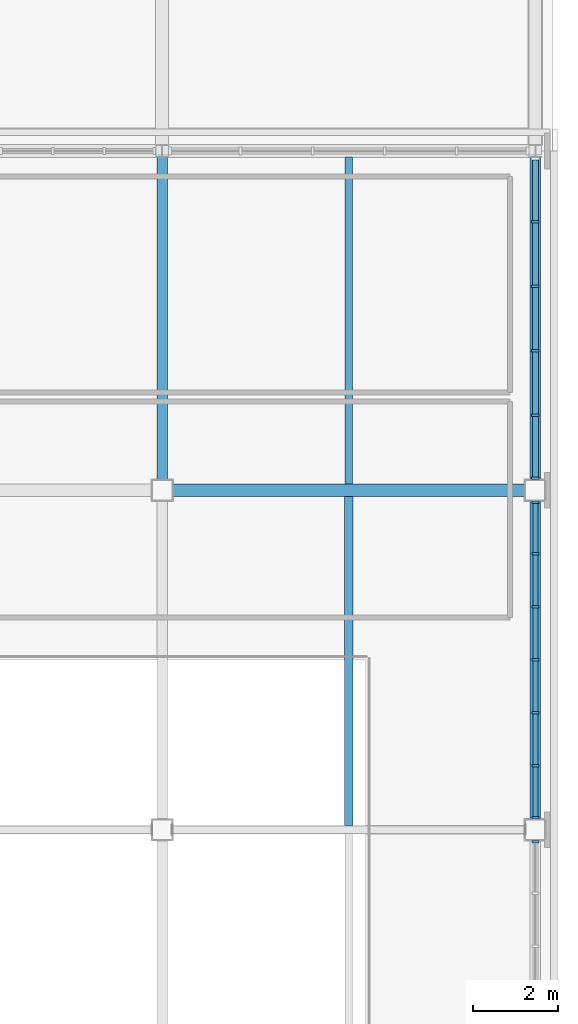
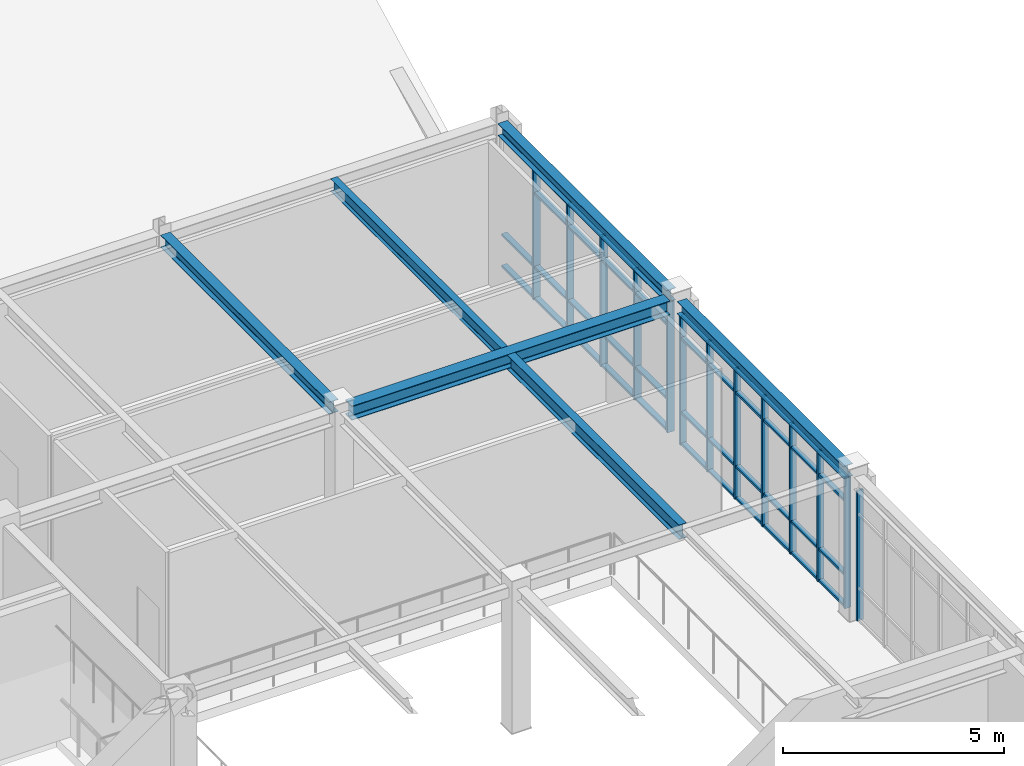
# One storey, part 19 of 45: 55 members, 6 beams, 3 elements without a shape of their own.
"""IFC4 building model written with IfcOpenShell, lengths in metres."""

from ifc_helpers import new_model, si_unit, direction, frame, origin, origin_2d, place, context, subcontext, project, spatial, rectangle, i_section, extrude, material, material_profile, profile_set, type_object, element, aggregate, save


model = new_model("IFC4")

# Units and contexts
model_context = context("Model", 3, precision=1e-05, world=origin(), true_north=direction((0.0, 1.0)))
body_context = subcontext(model_context, "Body", "Model", "MODEL_VIEW")
ifc_project = project(units=[si_unit("LENGTHUNIT", "METRE"), si_unit("AREAUNIT", "SQUARE_METRE"), si_unit("VOLUMEUNIT", "CUBIC_METRE"), si_unit("PLANEANGLEUNIT", "RADIAN"), si_unit("MASSUNIT", "GRAM", prefix="KILO")], contexts=[model_context])

# Site, building, storey
site_placement = place(None, origin())
site = spatial("IfcSite", under=ifc_project, at=site_placement, CompositionType="ELEMENT")
building_placement = place(site_placement, origin())
building = spatial("IfcBuilding", under=site, at=building_placement, Name="Zhaolan Boulevard Law Courts", CompositionType="ELEMENT")
storey_placement = place(building_placement, frame((0.0, 0.0, 24.60009765625)))
storey = spatial("IfcBuildingStorey", under=building, at=storey_placement, Name="L05", CompositionType="ELEMENT", Elevation=24.60009765625)

# Curtain wall, member
ifc_material_1 = material(Name="Thermally broken aluminium and low-E glazing", Category="aluminium")
curtain_wall_type_1 = type_object("IfcCurtainWallType", Name="CURTAIN WALL M5", PredefinedType="USERDEFINED", material=ifc_material_1)
curtain_wall_1_placement = place(storey_placement, origin())
curtain_wall_1 = element("IfcCurtainWall", 1, at=curtain_wall_1_placement, inside=storey, type_object=curtain_wall_type_1, Name="Curtain Wall CW-L05-221", ObjectType="CURTAIN WALL", PredefinedType="USERDEFINED")
ifc_material_2 = material(Name="Fluorocarbon-coated aluminium 6063-T6", Category="aluminium")
ifc_material_profile_1 = material_profile(ifc_material_2, rectangle(XDim=0.159912109375, YDim=0.06005859375, at=origin_2d()), Name="AL60x160")
ifc_profile_set_1 = profile_set([ifc_material_profile_1], Name="Fluorocarbon-coated aluminium 6063-T6")
member_type_1 = type_object("IfcMemberType", Name="CWMULLION 60X160", PredefinedType="MULLION", material=ifc_profile_set_1)
member_1_placement = place(storey_placement, frame((44.0, 61.718017578125, 0.0), z_axis=(0.0, 0.0, 1.0), x_axis=(-1.0, 0.0, 0.0)))
member_1 = element("IfcMember", 2, at=member_1_placement, type_object=member_type_1, Name="CW-L05-221 mullion 7", PredefinedType="MULLION", context=body_context, shape_type="SweptSolid", body=[
    extrude(rectangle(XDim=0.159912109375, YDim=0.06005859375, at=origin_2d()), origin(), (0.0, 0.0, 1.0), 3.593017578125),
])
aggregate(curtain_wall_1, [member_1])

# Curtain wall, members
ifc_material_3 = material(Name="Thermally broken aluminium and low-E glazing", Category="aluminium")
curtain_wall_type_2 = type_object("IfcCurtainWallType", Name="CURTAIN WALL M6", PredefinedType="USERDEFINED", material=ifc_material_3)
curtain_wall_2_placement = place(storey_placement, origin())
curtain_wall_2 = element("IfcCurtainWall", 3, at=curtain_wall_2_placement, inside=storey, type_object=curtain_wall_type_2, Name="Curtain Wall CW-L05-222", ObjectType="CURTAIN WALL", PredefinedType="USERDEFINED")
member_2_placement = place(storey_placement, frame((44.0, 62.281982421875, 0.0), z_axis=(0.0, 0.0, 1.0), x_axis=(-1.0, 0.0, 0.0)))
member_2 = element("IfcMember", 4, at=member_2_placement, type_object=member_type_1, Name="CW-L05-222 mullion 1", PredefinedType="MULLION", context=body_context, shape_type="SweptSolid", body=[
    extrude(rectangle(XDim=0.159912109375, YDim=0.06005859375, at=origin_2d()), origin(), (0.0, 0.0, 1.0), 3.593017578125),
])
member_3_placement = place(storey_placement, frame((44.0, 63.501220703125, 0.0), z_axis=(0.0, 0.0, 1.0), x_axis=(-1.0, 0.0, 0.0)))
member_3 = element("IfcMember", 5, at=member_3_placement, type_object=member_type_1, Name="CW-L05-222 mullion 2", PredefinedType="MULLION", context=body_context, shape_type="SweptSolid", body=[
    extrude(rectangle(XDim=0.159912109375, YDim=0.06005859375, at=origin_2d()), origin(), (0.0, 0.0, 1.0), 3.593017578125),
])
member_4_placement = place(storey_placement, frame((44.0, 64.750732421875, 0.0), z_axis=(0.0, 0.0, 1.0), x_axis=(-1.0, 0.0, 0.0)))
member_4 = element("IfcMember", 6, at=member_4_placement, type_object=member_type_1, Name="CW-L05-222 mullion 3", PredefinedType="MULLION", context=body_context, shape_type="SweptSolid", body=[
    extrude(rectangle(XDim=0.159912109375, YDim=0.06005859375, at=origin_2d()), origin(), (0.0, 0.0, 1.0), 3.593017578125),
])
member_5_placement = place(storey_placement, frame((44.0, 66.0, 0.0), z_axis=(0.0, 0.0, 1.0), x_axis=(-1.0, 0.0, 0.0)))
member_5 = element("IfcMember", 7, at=member_5_placement, type_object=member_type_1, Name="CW-L05-222 mullion 4", PredefinedType="MULLION", context=body_context, shape_type="SweptSolid", body=[
    extrude(rectangle(XDim=0.159912109375, YDim=0.06005859375, at=origin_2d()), origin(), (0.0, 0.0, 1.0), 3.593017578125),
])
member_6_placement = place(storey_placement, frame((44.0, 67.249267578125, 0.0), z_axis=(0.0, 0.0, 1.0), x_axis=(-1.0, 0.0, 0.0)))
member_6 = element("IfcMember", 8, at=member_6_placement, type_object=member_type_1, Name="CW-L05-222 mullion 5", PredefinedType="MULLION", context=body_context, shape_type="SweptSolid", body=[
    extrude(rectangle(XDim=0.159912109375, YDim=0.06005859375, at=origin_2d()), origin(), (0.0, 0.0, 1.0), 3.593017578125),
])
member_7_placement = place(storey_placement, frame((44.0, 68.498779296875, 0.0), z_axis=(0.0, 0.0, 1.0), x_axis=(-1.0, 0.0, 0.0)))
member_7 = element("IfcMember", 9, at=member_7_placement, type_object=member_type_1, Name="CW-L05-222 mullion 6", PredefinedType="MULLION", context=body_context, shape_type="SweptSolid", body=[
    extrude(rectangle(XDim=0.159912109375, YDim=0.06005859375, at=origin_2d()), origin(), (0.0, 0.0, 1.0), 3.593017578125),
])
member_8_placement = place(storey_placement, frame((44.0, 69.718017578125, 0.0), z_axis=(0.0, 0.0, 1.0), x_axis=(-1.0, 0.0, 0.0)))
member_8 = element("IfcMember", 10, at=member_8_placement, type_object=member_type_1, Name="CW-L05-222 mullion 7", PredefinedType="MULLION", context=body_context, shape_type="SweptSolid", body=[
    extrude(rectangle(XDim=0.159912109375, YDim=0.06005859375, at=origin_2d()), origin(), (0.0, 0.0, 1.0), 3.593017578125),
])

ifc_material_4 = material(Name="Thermally broken aluminium and low-E glazing", Category="aluminium")
curtain_wall_type_3 = type_object("IfcCurtainWallType", Name="CURTAIN WALL M7", PredefinedType="USERDEFINED", material=ifc_material_4)
curtain_wall_3_placement = place(storey_placement, origin())
curtain_wall_3 = element("IfcCurtainWall", 11, at=curtain_wall_3_placement, inside=storey, type_object=curtain_wall_type_3, Name="Curtain Wall CW-L05-223", ObjectType="CURTAIN WALL", PredefinedType="USERDEFINED")
ifc_material_5 = material(Name="Fluorocarbon-coated aluminium 6063-T6", Category="aluminium")
ifc_material_profile_2 = material_profile(ifc_material_5, rectangle(XDim=0.179931640625, YDim=0.06494140625, at=origin_2d()), Name="AL65x180")
ifc_profile_set_2 = profile_set([ifc_material_profile_2], Name="Fluorocarbon-coated aluminium 6063-T6")
member_type_2 = type_object("IfcMemberType", Name="CWMULLION 65X180", PredefinedType="MULLION", material=ifc_profile_set_2)
member_9_placement = place(storey_placement, frame((44.0, 70.284423828125, 0.0), z_axis=(0.0, 0.0, 1.0), x_axis=(-1.0, 0.0, 0.0)))
member_9 = element("IfcMember", 12, at=member_9_placement, type_object=member_type_2, Name="CW-L05-223 mullion 1", PredefinedType="MULLION", context=body_context, shape_type="SweptSolid", body=[
    extrude(rectangle(XDim=0.179931640625, YDim=0.06494140625, at=origin_2d()), origin(), (0.0, 0.0, 1.0), 3.593017578125),
])
member_10_placement = place(storey_placement, frame((44.0, 71.771240234375, 0.0), z_axis=(0.0, 0.0, 1.0), x_axis=(-1.0, 0.0, 0.0)))
member_10 = element("IfcMember", 13, at=member_10_placement, type_object=member_type_2, Name="CW-L05-223 mullion 2", PredefinedType="MULLION", context=body_context, shape_type="SweptSolid", body=[
    extrude(rectangle(XDim=0.179931640625, YDim=0.06494140625, at=origin_2d()), origin(), (0.0, 0.0, 1.0), 3.593017578125),
])
member_11_placement = place(storey_placement, frame((44.0, 73.290283203125, 0.0), z_axis=(0.0, 0.0, 1.0), x_axis=(-1.0, 0.0, 0.0)))
member_11 = element("IfcMember", 14, at=member_11_placement, type_object=member_type_2, Name="CW-L05-223 mullion 3", PredefinedType="MULLION", context=body_context, shape_type="SweptSolid", body=[
    extrude(rectangle(XDim=0.179931640625, YDim=0.06494140625, at=origin_2d()), origin(), (0.0, 0.0, 1.0), 3.593017578125),
])
member_12_placement = place(storey_placement, frame((44.0, 74.8095703125, 0.0), z_axis=(0.0, 0.0, 1.0), x_axis=(-1.0, 0.0, 0.0)))
member_12 = element("IfcMember", 15, at=member_12_placement, type_object=member_type_2, Name="CW-L05-223 mullion 4", PredefinedType="MULLION", context=body_context, shape_type="SweptSolid", body=[
    extrude(rectangle(XDim=0.179931640625, YDim=0.06494140625, at=origin_2d()), origin(), (0.0, 0.0, 1.0), 3.593017578125),
])
member_13_placement = place(storey_placement, frame((44.0, 76.328857421875, 0.0), z_axis=(0.0, 0.0, 1.0), x_axis=(-1.0, 0.0, 0.0)))
member_13 = element("IfcMember", 16, at=member_13_placement, type_object=member_type_2, Name="CW-L05-223 mullion 5", PredefinedType="MULLION", context=body_context, shape_type="SweptSolid", body=[
    extrude(rectangle(XDim=0.179931640625, YDim=0.06494140625, at=origin_2d()), origin(), (0.0, 0.0, 1.0), 3.593017578125),
])

# Member
ifc_material_6 = material(Name="Fluorocarbon-coated aluminium 6063-T6", Category="aluminium")
ifc_material_profile_3 = material_profile(ifc_material_6, rectangle(XDim=0.1201171875, YDim=0.06005859375, at=origin_2d()), Name="AL60x120")
ifc_profile_set_3 = profile_set([ifc_material_profile_3], Name="Fluorocarbon-coated aluminium 6063-T6")
member_type_3 = type_object("IfcMemberType", Name="CWTRANSOM 60X120", PredefinedType="USERDEFINED", material=ifc_profile_set_3)
member_14_placement = place(storey_placement, frame((44.0, 62.31201171875, 0.02978515625), z_axis=(0.0, 1.0, 0.0), x_axis=(-1.0, 0.0, 0.0)))
member_14 = element("IfcMember", 17, at=member_14_placement, type_object=member_type_3, Name="CW-L05-222 transom 1.1", ObjectType="TRANSOM", PredefinedType="USERDEFINED", context=body_context, shape_type="SweptSolid", body=[
    extrude(rectangle(XDim=0.1201171875, YDim=0.06005859375, at=origin_2d()), origin(), (0.0, 0.0, 1.0), 1.159423828125),
])

member_15_placement = place(storey_placement, frame((44.0, 62.31201171875, 0.89990234375), z_axis=(0.0, 1.0, 0.0), x_axis=(-1.0, 0.0, 0.0)))
member_15 = element("IfcMember", 18, at=member_15_placement, type_object=member_type_3, Name="CW-L05-222 transom 1.2", ObjectType="TRANSOM", PredefinedType="USERDEFINED", context=body_context, shape_type="SweptSolid", body=[
    extrude(rectangle(XDim=0.1201171875, YDim=0.06005859375, at=origin_2d()), origin(), (0.0, 0.0, 1.0), 1.159423828125),
])

member_16_placement = place(storey_placement, frame((44.0, 62.31201171875, 2.94287109375), z_axis=(0.0, 1.0, 0.0), x_axis=(-1.0, 0.0, 0.0)))
member_16 = element("IfcMember", 19, at=member_16_placement, type_object=member_type_3, Name="CW-L05-222 transom 1.3", ObjectType="TRANSOM", PredefinedType="USERDEFINED", context=body_context, shape_type="SweptSolid", body=[
    extrude(rectangle(XDim=0.1201171875, YDim=0.06005859375, at=origin_2d()), origin(), (0.0, 0.0, 1.0), 1.159423828125),
])

member_17_placement = place(storey_placement, frame((44.0, 62.31201171875, 3.56298828125), z_axis=(0.0, 1.0, 0.0), x_axis=(-1.0, 0.0, 0.0)))
member_17 = element("IfcMember", 20, at=member_17_placement, type_object=member_type_3, Name="CW-L05-222 transom 1.4", ObjectType="TRANSOM", PredefinedType="USERDEFINED", context=body_context, shape_type="SweptSolid", body=[
    extrude(rectangle(XDim=0.1201171875, YDim=0.06005859375, at=origin_2d()), origin(), (0.0, 0.0, 1.0), 1.159423828125),
])

member_18_placement = place(storey_placement, frame((44.0, 63.53125, 0.02978515625), z_axis=(0.0, 1.0, 0.0), x_axis=(-1.0, 0.0, 0.0)))
member_18 = element("IfcMember", 21, at=member_18_placement, type_object=member_type_3, Name="CW-L05-222 transom 2.1", ObjectType="TRANSOM", PredefinedType="USERDEFINED", context=body_context, shape_type="SweptSolid", body=[
    extrude(rectangle(XDim=0.1201171875, YDim=0.06005859375, at=origin_2d()), origin(), (0.0, 0.0, 1.0), 1.189453125),
])

member_19_placement = place(storey_placement, frame((44.0, 63.53125, 0.89990234375), z_axis=(0.0, 1.0, 0.0), x_axis=(-1.0, 0.0, 0.0)))
member_19 = element("IfcMember", 22, at=member_19_placement, type_object=member_type_3, Name="CW-L05-222 transom 2.2", ObjectType="TRANSOM", PredefinedType="USERDEFINED", context=body_context, shape_type="SweptSolid", body=[
    extrude(rectangle(XDim=0.1201171875, YDim=0.06005859375, at=origin_2d()), origin(), (0.0, 0.0, 1.0), 1.189453125),
])

member_20_placement = place(storey_placement, frame((44.0, 63.53125, 2.94287109375), z_axis=(0.0, 1.0, 0.0), x_axis=(-1.0, 0.0, 0.0)))
member_20 = element("IfcMember", 23, at=member_20_placement, type_object=member_type_3, Name="CW-L05-222 transom 2.3", ObjectType="TRANSOM", PredefinedType="USERDEFINED", context=body_context, shape_type="SweptSolid", body=[
    extrude(rectangle(XDim=0.1201171875, YDim=0.06005859375, at=origin_2d()), origin(), (0.0, 0.0, 1.0), 1.189453125),
])

member_21_placement = place(storey_placement, frame((44.0, 63.53125, 3.56298828125), z_axis=(0.0, 1.0, 0.0), x_axis=(-1.0, 0.0, 0.0)))
member_21 = element("IfcMember", 24, at=member_21_placement, type_object=member_type_3, Name="CW-L05-222 transom 2.4", ObjectType="TRANSOM", PredefinedType="USERDEFINED", context=body_context, shape_type="SweptSolid", body=[
    extrude(rectangle(XDim=0.1201171875, YDim=0.06005859375, at=origin_2d()), origin(), (0.0, 0.0, 1.0), 1.189453125),
])

member_22_placement = place(storey_placement, frame((44.0, 64.78076171875, 0.02978515625), z_axis=(0.0, 1.0, 0.0), x_axis=(-1.0, 0.0, 0.0)))
member_22 = element("IfcMember", 25, at=member_22_placement, type_object=member_type_3, Name="CW-L05-222 transom 3.1", ObjectType="TRANSOM", PredefinedType="USERDEFINED", context=body_context, shape_type="SweptSolid", body=[
    extrude(rectangle(XDim=0.1201171875, YDim=0.06005859375, at=origin_2d()), origin(), (0.0, 0.0, 1.0), 1.189208984375),
])

member_23_placement = place(storey_placement, frame((44.0, 64.78076171875, 0.89990234375), z_axis=(0.0, 1.0, 0.0), x_axis=(-1.0, 0.0, 0.0)))
member_23 = element("IfcMember", 26, at=member_23_placement, type_object=member_type_3, Name="CW-L05-222 transom 3.2", ObjectType="TRANSOM", PredefinedType="USERDEFINED", context=body_context, shape_type="SweptSolid", body=[
    extrude(rectangle(XDim=0.1201171875, YDim=0.06005859375, at=origin_2d()), origin(), (0.0, 0.0, 1.0), 1.189208984375),
])

member_24_placement = place(storey_placement, frame((44.0, 64.78076171875, 2.94287109375), z_axis=(0.0, 1.0, 0.0), x_axis=(-1.0, 0.0, 0.0)))
member_24 = element("IfcMember", 27, at=member_24_placement, type_object=member_type_3, Name="CW-L05-222 transom 3.3", ObjectType="TRANSOM", PredefinedType="USERDEFINED", context=body_context, shape_type="SweptSolid", body=[
    extrude(rectangle(XDim=0.1201171875, YDim=0.06005859375, at=origin_2d()), origin(), (0.0, 0.0, 1.0), 1.189208984375),
])

member_25_placement = place(storey_placement, frame((44.0, 64.78076171875, 3.56298828125), z_axis=(0.0, 1.0, 0.0), x_axis=(-1.0, 0.0, 0.0)))
member_25 = element("IfcMember", 28, at=member_25_placement, type_object=member_type_3, Name="CW-L05-222 transom 3.4", ObjectType="TRANSOM", PredefinedType="USERDEFINED", context=body_context, shape_type="SweptSolid", body=[
    extrude(rectangle(XDim=0.1201171875, YDim=0.06005859375, at=origin_2d()), origin(), (0.0, 0.0, 1.0), 1.189208984375),
])

member_26_placement = place(storey_placement, frame((44.0, 66.030029296875, 0.02978515625), z_axis=(0.0, 1.0, 0.0), x_axis=(-1.0, 0.0, 0.0)))
member_26 = element("IfcMember", 29, at=member_26_placement, type_object=member_type_3, Name="CW-L05-222 transom 4.1", ObjectType="TRANSOM", PredefinedType="USERDEFINED", context=body_context, shape_type="SweptSolid", body=[
    extrude(rectangle(XDim=0.1201171875, YDim=0.06005859375, at=origin_2d()), origin(), (0.0, 0.0, 1.0), 1.189208984375),
])

member_27_placement = place(storey_placement, frame((44.0, 66.030029296875, 0.89990234375), z_axis=(0.0, 1.0, 0.0), x_axis=(-1.0, 0.0, 0.0)))
member_27 = element("IfcMember", 30, at=member_27_placement, type_object=member_type_3, Name="CW-L05-222 transom 4.2", ObjectType="TRANSOM", PredefinedType="USERDEFINED", context=body_context, shape_type="SweptSolid", body=[
    extrude(rectangle(XDim=0.1201171875, YDim=0.06005859375, at=origin_2d()), origin(), (0.0, 0.0, 1.0), 1.189208984375),
])

member_28_placement = place(storey_placement, frame((44.0, 66.030029296875, 2.94287109375), z_axis=(0.0, 1.0, 0.0), x_axis=(-1.0, 0.0, 0.0)))
member_28 = element("IfcMember", 31, at=member_28_placement, type_object=member_type_3, Name="CW-L05-222 transom 4.3", ObjectType="TRANSOM", PredefinedType="USERDEFINED", context=body_context, shape_type="SweptSolid", body=[
    extrude(rectangle(XDim=0.1201171875, YDim=0.06005859375, at=origin_2d()), origin(), (0.0, 0.0, 1.0), 1.189208984375),
])

member_29_placement = place(storey_placement, frame((44.0, 66.030029296875, 3.56298828125), z_axis=(0.0, 1.0, 0.0), x_axis=(-1.0, 0.0, 0.0)))
member_29 = element("IfcMember", 32, at=member_29_placement, type_object=member_type_3, Name="CW-L05-222 transom 4.4", ObjectType="TRANSOM", PredefinedType="USERDEFINED", context=body_context, shape_type="SweptSolid", body=[
    extrude(rectangle(XDim=0.1201171875, YDim=0.06005859375, at=origin_2d()), origin(), (0.0, 0.0, 1.0), 1.189208984375),
])

member_30_placement = place(storey_placement, frame((44.0, 67.279296875, 0.02978515625), z_axis=(0.0, 1.0, 0.0), x_axis=(-1.0, 0.0, 0.0)))
member_30 = element("IfcMember", 33, at=member_30_placement, type_object=member_type_3, Name="CW-L05-222 transom 5.1", ObjectType="TRANSOM", PredefinedType="USERDEFINED", context=body_context, shape_type="SweptSolid", body=[
    extrude(rectangle(XDim=0.1201171875, YDim=0.06005859375, at=origin_2d()), origin(), (0.0, 0.0, 1.0), 1.189453125),
])

member_31_placement = place(storey_placement, frame((44.0, 67.279296875, 0.89990234375), z_axis=(0.0, 1.0, 0.0), x_axis=(-1.0, 0.0, 0.0)))
member_31 = element("IfcMember", 34, at=member_31_placement, type_object=member_type_3, Name="CW-L05-222 transom 5.2", ObjectType="TRANSOM", PredefinedType="USERDEFINED", context=body_context, shape_type="SweptSolid", body=[
    extrude(rectangle(XDim=0.1201171875, YDim=0.06005859375, at=origin_2d()), origin(), (0.0, 0.0, 1.0), 1.189453125),
])

member_32_placement = place(storey_placement, frame((44.0, 67.279296875, 2.94287109375), z_axis=(0.0, 1.0, 0.0), x_axis=(-1.0, 0.0, 0.0)))
member_32 = element("IfcMember", 35, at=member_32_placement, type_object=member_type_3, Name="CW-L05-222 transom 5.3", ObjectType="TRANSOM", PredefinedType="USERDEFINED", context=body_context, shape_type="SweptSolid", body=[
    extrude(rectangle(XDim=0.1201171875, YDim=0.06005859375, at=origin_2d()), origin(), (0.0, 0.0, 1.0), 1.189453125),
])

member_33_placement = place(storey_placement, frame((44.0, 67.279296875, 3.56298828125), z_axis=(0.0, 1.0, 0.0), x_axis=(-1.0, 0.0, 0.0)))
member_33 = element("IfcMember", 36, at=member_33_placement, type_object=member_type_3, Name="CW-L05-222 transom 5.4", ObjectType="TRANSOM", PredefinedType="USERDEFINED", context=body_context, shape_type="SweptSolid", body=[
    extrude(rectangle(XDim=0.1201171875, YDim=0.06005859375, at=origin_2d()), origin(), (0.0, 0.0, 1.0), 1.189453125),
])

member_34_placement = place(storey_placement, frame((44.0, 68.528564453125, 0.02978515625), z_axis=(0.0, 1.0, 0.0), x_axis=(-1.0, 0.0, 0.0)))
member_34 = element("IfcMember", 37, at=member_34_placement, type_object=member_type_3, Name="CW-L05-222 transom 6.1", ObjectType="TRANSOM", PredefinedType="USERDEFINED", context=body_context, shape_type="SweptSolid", body=[
    extrude(rectangle(XDim=0.1201171875, YDim=0.06005859375, at=origin_2d()), origin(), (0.0, 0.0, 1.0), 1.159423828125),
])

member_35_placement = place(storey_placement, frame((44.0, 68.528564453125, 0.89990234375), z_axis=(0.0, 1.0, 0.0), x_axis=(-1.0, 0.0, 0.0)))
member_35 = element("IfcMember", 38, at=member_35_placement, type_object=member_type_3, Name="CW-L05-222 transom 6.2", ObjectType="TRANSOM", PredefinedType="USERDEFINED", context=body_context, shape_type="SweptSolid", body=[
    extrude(rectangle(XDim=0.1201171875, YDim=0.06005859375, at=origin_2d()), origin(), (0.0, 0.0, 1.0), 1.159423828125),
])

member_36_placement = place(storey_placement, frame((44.0, 68.528564453125, 2.94287109375), z_axis=(0.0, 1.0, 0.0), x_axis=(-1.0, 0.0, 0.0)))
member_36 = element("IfcMember", 39, at=member_36_placement, type_object=member_type_3, Name="CW-L05-222 transom 6.3", ObjectType="TRANSOM", PredefinedType="USERDEFINED", context=body_context, shape_type="SweptSolid", body=[
    extrude(rectangle(XDim=0.1201171875, YDim=0.06005859375, at=origin_2d()), origin(), (0.0, 0.0, 1.0), 1.159423828125),
])

member_37_placement = place(storey_placement, frame((44.0, 68.528564453125, 3.56298828125), z_axis=(0.0, 1.0, 0.0), x_axis=(-1.0, 0.0, 0.0)))
member_37 = element("IfcMember", 40, at=member_37_placement, type_object=member_type_3, Name="CW-L05-222 transom 6.4", ObjectType="TRANSOM", PredefinedType="USERDEFINED", context=body_context, shape_type="SweptSolid", body=[
    extrude(rectangle(XDim=0.1201171875, YDim=0.06005859375, at=origin_2d()), origin(), (0.0, 0.0, 1.0), 1.159423828125),
])

aggregate(curtain_wall_2, [member_2, member_3, member_4, member_5, member_6, member_7, member_8, member_14, member_15, member_16, member_17, member_18, member_19, member_20, member_21, member_22, member_23, member_24, member_25, member_26, member_27, member_28, member_29, member_30, member_31, member_32, member_33, member_34, member_35, member_36, member_37])

ifc_material_7 = material(Name="Fluorocarbon-coated aluminium 6063-T6", Category="aluminium")
ifc_material_profile_4 = material_profile(ifc_material_7, rectangle(XDim=0.139892578125, YDim=0.06494140625, at=origin_2d()), Name="AL65x140")
ifc_profile_set_4 = profile_set([ifc_material_profile_4], Name="Fluorocarbon-coated aluminium 6063-T6")
member_type_4 = type_object("IfcMemberType", Name="CWTRANSOM 65X140", PredefinedType="USERDEFINED", material=ifc_profile_set_4)
member_38_placement = place(storey_placement, frame((44.0, 70.31689453125, 0.032470703125), z_axis=(0.0, 1.0, 0.0), x_axis=(-1.0, 0.0, 0.0)))
member_38 = element("IfcMember", 41, at=member_38_placement, type_object=member_type_4, Name="CW-L05-223 transom 1.1", ObjectType="TRANSOM", PredefinedType="USERDEFINED", context=body_context, shape_type="SweptSolid", body=[
    extrude(rectangle(XDim=0.139892578125, YDim=0.06494140625, at=origin_2d()), origin(), (0.0, 0.0, 1.0), 1.421875),
])

member_39_placement = place(storey_placement, frame((44.0, 70.31689453125, 0.89990234375), z_axis=(0.0, 1.0, 0.0), x_axis=(-1.0, 0.0, 0.0)))
member_39 = element("IfcMember", 42, at=member_39_placement, type_object=member_type_4, Name="CW-L05-223 transom 1.2", ObjectType="TRANSOM", PredefinedType="USERDEFINED", context=body_context, shape_type="SweptSolid", body=[
    extrude(rectangle(XDim=0.139892578125, YDim=0.06494140625, at=origin_2d()), origin(), (0.0, 0.0, 1.0), 1.421875),
])

member_40_placement = place(storey_placement, frame((44.0, 70.31689453125, 2.94287109375), z_axis=(0.0, 1.0, 0.0), x_axis=(-1.0, 0.0, 0.0)))
member_40 = element("IfcMember", 43, at=member_40_placement, type_object=member_type_4, Name="CW-L05-223 transom 1.3", ObjectType="TRANSOM", PredefinedType="USERDEFINED", context=body_context, shape_type="SweptSolid", body=[
    extrude(rectangle(XDim=0.139892578125, YDim=0.06494140625, at=origin_2d()), origin(), (0.0, 0.0, 1.0), 1.421875),
])

member_41_placement = place(storey_placement, frame((44.0, 70.31689453125, 3.560302734375), z_axis=(0.0, 1.0, 0.0), x_axis=(-1.0, 0.0, 0.0)))
member_41 = element("IfcMember", 44, at=member_41_placement, type_object=member_type_4, Name="CW-L05-223 transom 1.4", ObjectType="TRANSOM", PredefinedType="USERDEFINED", context=body_context, shape_type="SweptSolid", body=[
    extrude(rectangle(XDim=0.139892578125, YDim=0.06494140625, at=origin_2d()), origin(), (0.0, 0.0, 1.0), 1.421875),
])

member_42_placement = place(storey_placement, frame((44.0, 71.8037109375, 0.032470703125), z_axis=(0.0, 1.0, 0.0), x_axis=(-1.0, 0.0, 0.0)))
member_42 = element("IfcMember", 45, at=member_42_placement, type_object=member_type_4, Name="CW-L05-223 transom 2.1", ObjectType="TRANSOM", PredefinedType="USERDEFINED", context=body_context, shape_type="SweptSolid", body=[
    extrude(rectangle(XDim=0.139892578125, YDim=0.06494140625, at=origin_2d()), origin(), (0.0, 0.0, 1.0), 1.4541015625),
])

member_43_placement = place(storey_placement, frame((44.0, 71.8037109375, 0.89990234375), z_axis=(0.0, 1.0, 0.0), x_axis=(-1.0, 0.0, 0.0)))
member_43 = element("IfcMember", 46, at=member_43_placement, type_object=member_type_4, Name="CW-L05-223 transom 2.2", ObjectType="TRANSOM", PredefinedType="USERDEFINED", context=body_context, shape_type="SweptSolid", body=[
    extrude(rectangle(XDim=0.139892578125, YDim=0.06494140625, at=origin_2d()), origin(), (0.0, 0.0, 1.0), 1.4541015625),
])

member_44_placement = place(storey_placement, frame((44.0, 71.8037109375, 2.94287109375), z_axis=(0.0, 1.0, 0.0), x_axis=(-1.0, 0.0, 0.0)))
member_44 = element("IfcMember", 47, at=member_44_placement, type_object=member_type_4, Name="CW-L05-223 transom 2.3", ObjectType="TRANSOM", PredefinedType="USERDEFINED", context=body_context, shape_type="SweptSolid", body=[
    extrude(rectangle(XDim=0.139892578125, YDim=0.06494140625, at=origin_2d()), origin(), (0.0, 0.0, 1.0), 1.4541015625),
])

member_45_placement = place(storey_placement, frame((44.0, 71.8037109375, 3.560302734375), z_axis=(0.0, 1.0, 0.0), x_axis=(-1.0, 0.0, 0.0)))
member_45 = element("IfcMember", 48, at=member_45_placement, type_object=member_type_4, Name="CW-L05-223 transom 2.4", ObjectType="TRANSOM", PredefinedType="USERDEFINED", context=body_context, shape_type="SweptSolid", body=[
    extrude(rectangle(XDim=0.139892578125, YDim=0.06494140625, at=origin_2d()), origin(), (0.0, 0.0, 1.0), 1.4541015625),
])

member_46_placement = place(storey_placement, frame((44.0, 73.322998046875, 0.032470703125), z_axis=(0.0, 1.0, 0.0), x_axis=(-1.0, 0.0, 0.0)))
member_46 = element("IfcMember", 49, at=member_46_placement, type_object=member_type_4, Name="CW-L05-223 transom 3.1", ObjectType="TRANSOM", PredefinedType="USERDEFINED", context=body_context, shape_type="SweptSolid", body=[
    extrude(rectangle(XDim=0.139892578125, YDim=0.06494140625, at=origin_2d()), origin(), (0.0, 0.0, 1.0), 1.4541015625),
])

member_47_placement = place(storey_placement, frame((44.0, 73.322998046875, 0.89990234375), z_axis=(0.0, 1.0, 0.0), x_axis=(-1.0, 0.0, 0.0)))
member_47 = element("IfcMember", 50, at=member_47_placement, type_object=member_type_4, Name="CW-L05-223 transom 3.2", ObjectType="TRANSOM", PredefinedType="USERDEFINED", context=body_context, shape_type="SweptSolid", body=[
    extrude(rectangle(XDim=0.139892578125, YDim=0.06494140625, at=origin_2d()), origin(), (0.0, 0.0, 1.0), 1.4541015625),
])

member_48_placement = place(storey_placement, frame((44.0, 73.322998046875, 2.94287109375), z_axis=(0.0, 1.0, 0.0), x_axis=(-1.0, 0.0, 0.0)))
member_48 = element("IfcMember", 51, at=member_48_placement, type_object=member_type_4, Name="CW-L05-223 transom 3.3", ObjectType="TRANSOM", PredefinedType="USERDEFINED", context=body_context, shape_type="SweptSolid", body=[
    extrude(rectangle(XDim=0.139892578125, YDim=0.06494140625, at=origin_2d()), origin(), (0.0, 0.0, 1.0), 1.4541015625),
])

member_49_placement = place(storey_placement, frame((44.0, 73.322998046875, 3.560302734375), z_axis=(0.0, 1.0, 0.0), x_axis=(-1.0, 0.0, 0.0)))
member_49 = element("IfcMember", 52, at=member_49_placement, type_object=member_type_4, Name="CW-L05-223 transom 3.4", ObjectType="TRANSOM", PredefinedType="USERDEFINED", context=body_context, shape_type="SweptSolid", body=[
    extrude(rectangle(XDim=0.139892578125, YDim=0.06494140625, at=origin_2d()), origin(), (0.0, 0.0, 1.0), 1.4541015625),
])

member_50_placement = place(storey_placement, frame((44.0, 74.842041015625, 0.032470703125), z_axis=(0.0, 1.0, 0.0), x_axis=(-1.0, 0.0, 0.0)))
member_50 = element("IfcMember", 53, at=member_50_placement, type_object=member_type_4, Name="CW-L05-223 transom 4.1", ObjectType="TRANSOM", PredefinedType="USERDEFINED", context=body_context, shape_type="SweptSolid", body=[
    extrude(rectangle(XDim=0.139892578125, YDim=0.06494140625, at=origin_2d()), origin(), (0.0, 0.0, 1.0), 1.454345703125),
])

member_51_placement = place(storey_placement, frame((44.0, 74.842041015625, 0.89990234375), z_axis=(0.0, 1.0, 0.0), x_axis=(-1.0, 0.0, 0.0)))
member_51 = element("IfcMember", 54, at=member_51_placement, type_object=member_type_4, Name="CW-L05-223 transom 4.2", ObjectType="TRANSOM", PredefinedType="USERDEFINED", context=body_context, shape_type="SweptSolid", body=[
    extrude(rectangle(XDim=0.139892578125, YDim=0.06494140625, at=origin_2d()), origin(), (0.0, 0.0, 1.0), 1.454345703125),
])

member_52_placement = place(storey_placement, frame((44.0, 74.842041015625, 2.94287109375), z_axis=(0.0, 1.0, 0.0), x_axis=(-1.0, 0.0, 0.0)))
member_52 = element("IfcMember", 55, at=member_52_placement, type_object=member_type_4, Name="CW-L05-223 transom 4.3", ObjectType="TRANSOM", PredefinedType="USERDEFINED", context=body_context, shape_type="SweptSolid", body=[
    extrude(rectangle(XDim=0.139892578125, YDim=0.06494140625, at=origin_2d()), origin(), (0.0, 0.0, 1.0), 1.454345703125),
])

member_53_placement = place(storey_placement, frame((44.0, 74.842041015625, 3.560302734375), z_axis=(0.0, 1.0, 0.0), x_axis=(-1.0, 0.0, 0.0)))
member_53 = element("IfcMember", 56, at=member_53_placement, type_object=member_type_4, Name="CW-L05-223 transom 4.4", ObjectType="TRANSOM", PredefinedType="USERDEFINED", context=body_context, shape_type="SweptSolid", body=[
    extrude(rectangle(XDim=0.139892578125, YDim=0.06494140625, at=origin_2d()), origin(), (0.0, 0.0, 1.0), 1.454345703125),
])

member_54_placement = place(storey_placement, frame((44.0, 76.361328125, 0.032470703125), z_axis=(0.0, 1.0, 0.0), x_axis=(-1.0, 0.0, 0.0)))
member_54 = element("IfcMember", 57, at=member_54_placement, type_object=member_type_4, Name="CW-L05-223 transom 5.1", ObjectType="TRANSOM", PredefinedType="USERDEFINED", context=body_context, shape_type="SweptSolid", body=[
    extrude(rectangle(XDim=0.139892578125, YDim=0.06494140625, at=origin_2d()), origin(), (0.0, 0.0, 1.0), 1.421630859375),
])

member_55_placement = place(storey_placement, frame((44.0, 76.361328125, 0.89990234375), z_axis=(0.0, 1.0, 0.0), x_axis=(-1.0, 0.0, 0.0)))
member_55 = element("IfcMember", 58, at=member_55_placement, type_object=member_type_4, Name="CW-L05-223 transom 5.2", ObjectType="TRANSOM", PredefinedType="USERDEFINED", context=body_context, shape_type="SweptSolid", body=[
    extrude(rectangle(XDim=0.139892578125, YDim=0.06494140625, at=origin_2d()), origin(), (0.0, 0.0, 1.0), 1.421630859375),
])

aggregate(curtain_wall_3, [member_9, member_10, member_11, member_12, member_13, member_38, member_39, member_40, member_41, member_42, member_43, member_44, member_45, member_46, member_47, member_48, member_49, member_50, member_51, member_52, member_53, member_54, member_55])

# Beams
ifc_material_8 = material(Name="Structural steel Q355B", Category="steel")
ifc_material_profile_5 = material_profile(ifc_material_8, i_section(OverallWidth=0.25, OverallDepth=0.340087890625, WebThickness=0.009033203125, FlangeThickness=0.013916015625, FilletRadius=0.01611328125, at=origin_2d()), Name="HM340x250")
ifc_profile_set_5 = profile_set([ifc_material_profile_5], Name="Structural steel Q355B")
beam_type_1 = type_object("IfcBeamType", Name="GIRDER HM340", PredefinedType="BEAM", material=ifc_profile_set_5)
beam_1_placement = place(storey_placement, frame((35.199951171875, 70.24609375, 3.77783203125), z_axis=(0.0, 1.0, 0.0), x_axis=(-1.0, 0.0, 0.0)))
element("IfcBeam", 59, at=beam_1_placement, inside=storey, type_object=beam_type_1, Name="Beam BY-L06-5-K-L", PredefinedType="BEAM", context=body_context, shape_type="SweptSolid", body=[
    extrude(i_section(OverallWidth=0.25, OverallDepth=0.340087890625, WebThickness=0.009033203125, FlangeThickness=0.013916015625, FilletRadius=0.01611328125, at=origin_2d()), origin(), (0.0, 0.0, 1.0), 7.60791015625),
])
beam_2_placement = place(storey_placement, frame((44.0, 62.24609375, 3.77783203125), z_axis=(0.0, 1.0, 0.0), x_axis=(-1.0, 0.0, 0.0)))
element("IfcBeam", 60, at=beam_2_placement, inside=storey, type_object=beam_type_1, Name="Beam BY-L06-6-J-K", PredefinedType="BEAM", context=body_context, shape_type="SweptSolid", body=[
    extrude(i_section(OverallWidth=0.25, OverallDepth=0.340087890625, WebThickness=0.009033203125, FlangeThickness=0.013916015625, FilletRadius=0.01611328125, at=origin_2d()), origin(), (0.0, 0.0, 1.0), 7.5078125),
])
beam_3_placement = place(storey_placement, frame((44.0, 70.24609375, 3.77783203125), z_axis=(0.0, 1.0, 0.0), x_axis=(-1.0, 0.0, 0.0)))
element("IfcBeam", 61, at=beam_3_placement, inside=storey, type_object=beam_type_1, Name="Beam BY-L06-6-K-L", PredefinedType="BEAM", context=body_context, shape_type="SweptSolid", body=[
    extrude(i_section(OverallWidth=0.25, OverallDepth=0.340087890625, WebThickness=0.009033203125, FlangeThickness=0.013916015625, FilletRadius=0.01611328125, at=origin_2d()), origin(), (0.0, 0.0, 1.0), 7.60791015625),
])
ifc_material_9 = material(Name="Structural steel Q355B", Category="steel")
ifc_material_profile_6 = material_profile(ifc_material_9, i_section(OverallWidth=0.300048828125, OverallDepth=0.389892578125, WebThickness=0.010009765625, FlangeThickness=0.01611328125, FilletRadius=0.01806640625, at=origin_2d()), Name="HM390x300")
ifc_profile_set_6 = profile_set([ifc_material_profile_6], Name="Structural steel Q355B")
beam_type_2 = type_object("IfcBeamType", Name="GIRDER HM390", PredefinedType="BEAM", material=ifc_profile_set_6)
beam_4_placement = place(storey_placement, frame((35.446044921875, 70.0, 3.7529296875), z_axis=(1.0, 0.0, 0.0), x_axis=(0.0, 1.0, 0.0)))
element("IfcBeam", 62, at=beam_4_placement, inside=storey, type_object=beam_type_2, Name="Beam BX-L06-5-6-K", PredefinedType="BEAM", context=body_context, shape_type="SweptSolid", body=[
    extrude(i_section(OverallWidth=0.300048828125, OverallDepth=0.389892578125, WebThickness=0.010009765625, FlangeThickness=0.01611328125, FilletRadius=0.01806640625, at=origin_2d()), origin(), (0.0, 0.0, 1.0), 8.307861328125),
])
ifc_material_10 = material(Name="Structural steel Q355B", Category="steel")
ifc_material_profile_7 = material_profile(ifc_material_10, i_section(OverallWidth=0.175048828125, OverallDepth=0.35009765625, WebThickness=0.007080078125, FlangeThickness=0.010986328125, FilletRadius=0.012939453125, at=origin_2d()), Name="HN350x175")
ifc_profile_set_7 = profile_set([ifc_material_profile_7], Name="Structural steel Q355B")
beam_type_3 = type_object("IfcBeamType", Name="JOIST HN350", PredefinedType="JOIST", material=ifc_profile_set_7)
beam_5_placement = place(storey_placement, frame((39.60009765625, 70.14599609375, 3.77294921875), z_axis=(0.0, 1.0, 0.0), x_axis=(-1.0, 0.0, 0.0)))
element("IfcBeam", 63, at=beam_5_placement, inside=storey, type_object=beam_type_3, Name="Composite Joist J-L06-5K", PredefinedType="JOIST", context=body_context, shape_type="SweptSolid", body=[
    extrude(i_section(OverallWidth=0.175048828125, OverallDepth=0.35009765625, WebThickness=0.007080078125, FlangeThickness=0.010986328125, FilletRadius=0.012939453125, at=origin_2d()), origin(), (0.0, 0.0, 1.0), 7.7080078125),
])
ifc_material_11 = material(Name="Structural steel Q355B", Category="steel")
ifc_material_profile_8 = material_profile(ifc_material_11, i_section(OverallWidth=0.199951171875, OverallDepth=0.39990234375, WebThickness=0.008056640625, FlangeThickness=0.012939453125, FilletRadius=0.013916015625, at=origin_2d()), Name="HN400x200")
ifc_profile_set_8 = profile_set([ifc_material_profile_8], Name="Structural steel Q355B")
beam_type_4 = type_object("IfcBeamType", Name="JOIST HN400", PredefinedType="JOIST", material=ifc_profile_set_8)
beam_6_placement = place(storey_placement, frame((39.60009765625, 62.095947265625, 3.747802734375), z_axis=(0.0, 1.0, 0.0), x_axis=(-1.0, 0.0, 0.0)))
element("IfcBeam", 64, at=beam_6_placement, inside=storey, type_object=beam_type_4, Name="Composite Joist J-L06-5J", PredefinedType="JOIST", context=body_context, shape_type="SweptSolid", body=[
    extrude(i_section(OverallWidth=0.199951171875, OverallDepth=0.39990234375, WebThickness=0.008056640625, FlangeThickness=0.012939453125, FilletRadius=0.013916015625, at=origin_2d()), origin(), (0.0, 0.0, 1.0), 7.758056640625),
])

save(model, "model.ifc")
